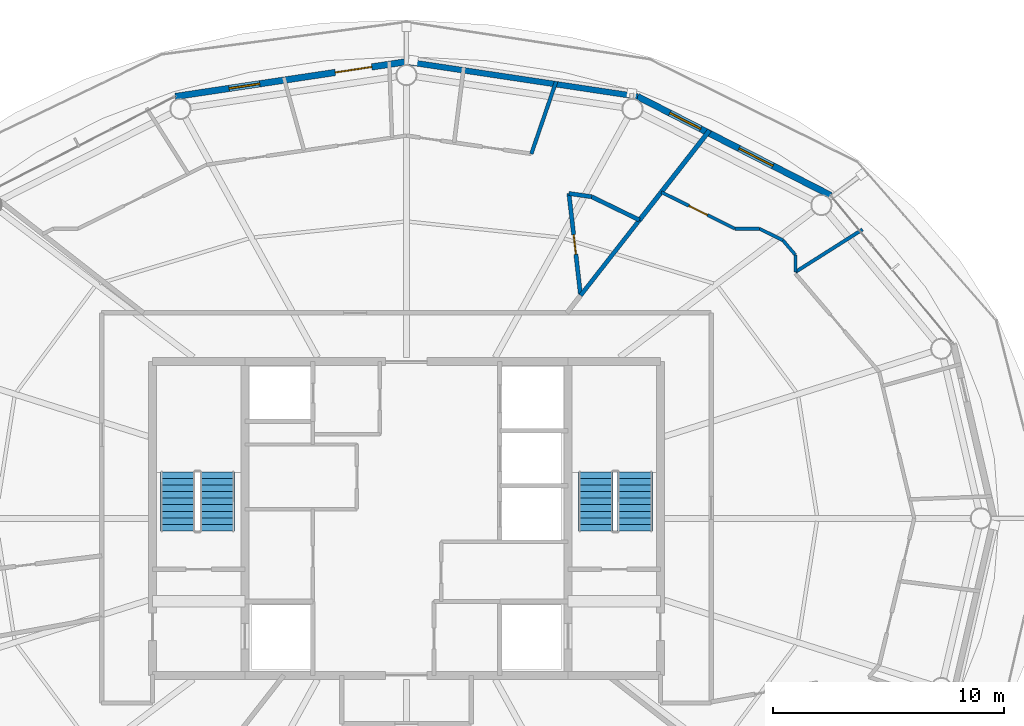
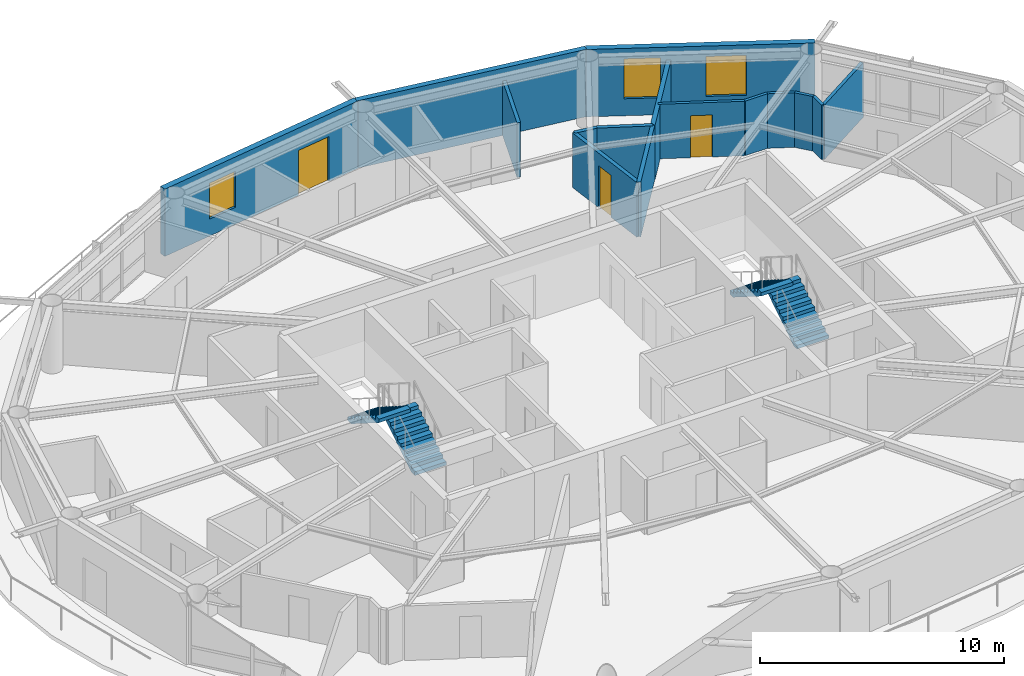
# One storey, part 19 of 22: 15 walls, 4 stair flights, 3 doors, 3 windows, 6 openings, 2 elements without a shape of their own.
"""IFC4 building model written with IfcOpenShell, lengths in metres."""

from ifc_helpers import new_model, si_unit, direction, frame, frame_2d, origin, place, context, subcontext, project, spatial, polyline, rectangle, outline, extrude, material, layer, layer_set, type_object, element, fill, aggregate, save


model = new_model("IFC4")

# Units and contexts
model_context = context("Model", 3, precision=1e-05, world=origin(), true_north=direction((0.0, 1.0)))
body_context = subcontext(model_context, "Body", "Model", "MODEL_VIEW")
ifc_project = project(units=[si_unit("LENGTHUNIT", "METRE"), si_unit("AREAUNIT", "SQUARE_METRE"), si_unit("VOLUMEUNIT", "CUBIC_METRE"), si_unit("PLANEANGLEUNIT", "RADIAN"), si_unit("MASSUNIT", "GRAM", prefix="KILO")], contexts=[model_context])

# Site, building, storey
site_placement = place(None, origin())
site = spatial("IfcSite", under=ifc_project, at=site_placement, CompositionType="ELEMENT")
building_placement = place(site_placement, origin())
building = spatial("IfcBuilding", under=site, at=building_placement, Name="Sarneth Arch Tower", CompositionType="ELEMENT")
storey_placement = place(building_placement, frame((0.0, 0.0, 305.39990234375)))
storey = spatial("IfcBuildingStorey", under=building, at=storey_placement, Name="L79", CompositionType="ELEMENT", Elevation=305.39990234375)

# Wall
ifc_material_1 = material(Name="Extruded terracotta rainscreen on Concrete C40/50 backing", Category="masonry")
ifc_layer_1 = layer(ifc_material_1, 0.25)
ifc_layer_set_1 = layer_set([ifc_layer_1], Name="Extruded terracotta rainscreen on Concrete C40/50 backing")
wall_type_1 = type_object("IfcWallType", Name="WALL-EXT-SPAND-250", PredefinedType="SOLIDWALL", material=ifc_layer_set_1)
wall_1_placement = place(storey_placement, frame((58.0126953125, 60.2744140625, 0.0), z_axis=(0.0, 0.0, 1.0), x_axis=(-0.988882522213, 0.148698881169, 0.0)))
element("IfcWall", 1, at=wall_1_placement, inside=storey, type_object=wall_type_1, Name="L79 Terracotta perimeter wall 04", PredefinedType="SOLIDWALL", context=body_context, shape_type="SweptSolid", body=[
    extrude(rectangle(XDim=10.125244140625, YDim=0.25, at=frame_2d((5.0625, 0.0))), origin(), (0.0, 0.0, 1.0), 3.3701171875),
])

# Wall, openings, windows
ifc_material_2 = material(Name="Extruded terracotta rainscreen on Concrete C40/50 backing", Category="masonry")
ifc_layer_2 = layer(ifc_material_2, 0.280029296875)
ifc_layer_set_2 = layer_set([ifc_layer_2], Name="Extruded terracotta rainscreen on Concrete C40/50 backing")
wall_type_2 = type_object("IfcWallType", Name="WALL-EXT-TERRA-280", PredefinedType="SOLIDWALL", material=ifc_layer_set_2)
wall_2_placement = place(storey_placement, frame((66.382568359375, 55.986572265625, 0.0), z_axis=(0.0, 0.0, 1.0), x_axis=(-0.890007394051, 0.455946091699, 0.0)))
wall_2 = element("IfcWall", 2, at=wall_2_placement, inside=storey, type_object=wall_type_2, Name="L79 Terracotta perimeter wall 03", PredefinedType="SOLIDWALL", context=body_context, shape_type="SweptSolid", body=[
    extrude(rectangle(XDim=9.404296875, YDim=0.280029296875, at=frame_2d((4.7021484375, 0.0))), origin(), (0.0, 0.0, 1.0), 3.3701171875),
])
opening_1_placement = place(wall_2_placement, frame((2.8173828125, 0.0, 0.85009765625)))
opening_1 = element("IfcOpeningElement", 3, at=opening_1_placement, cuts=wall_2, Name="Opening W-05", PredefinedType="OPENING", context=body_context, shape_type="SweptSolid", body=[
    extrude(rectangle(XDim=1.64990234375, YDim=2.0, at=frame_2d((0.824951171875, 1.0))), frame((0.0, 0.14990234375, 0.0), z_axis=(0.0, -1.0, 0.0), x_axis=(1.0, 0.0, 0.0)), (0.0, 0.0, 1.0), 0.300048828125),
])
opening_2_placement = place(wall_2_placement, frame((6.333251953125, 0.0, 0.85009765625)))
opening_2 = element("IfcOpeningElement", 4, at=opening_2_placement, cuts=wall_2, Name="Opening W-06", PredefinedType="OPENING", context=body_context, shape_type="SweptSolid", body=[
    extrude(rectangle(XDim=1.5, YDim=2.0, at=frame_2d((0.75, 1.0))), frame((0.0, 0.14990234375, 0.0), z_axis=(0.0, -1.0, 0.0), x_axis=(1.0, 0.0, 0.0)), (0.0, 0.0, 1.0), 0.300048828125),
])
ifc_material_3 = material(Name="Thermally broken Aluminium 6063-T6 and low-e laminated IGU", Category="aluminium")
window_type_1 = type_object("IfcWindowType", Name="WIN-TWR-1500x2000", PartitioningType="SINGLE_PANEL", PredefinedType="WINDOW", material=ifc_material_3)
window_1_placement = place(opening_2_placement, origin())
window_1 = element("IfcWindow", 5, at=window_1_placement, inside=storey, type_object=window_type_1, Name="L79 Exterior window 03B", OverallHeight=2.0, OverallWidth=1.5, PartitioningType="SINGLE_PANEL", PredefinedType="WINDOW", context=body_context, shape_type="SweptSolid", body=[
    extrude(rectangle(XDim=1.5, YDim=2.0, at=frame_2d((0.75, 1.0))), frame((0.0, 0.030029296875, 0.0), z_axis=(0.0, -1.0, 0.0), x_axis=(1.0, 0.0, 0.0)), (0.0, 0.0, 1.0), 0.06005859375),
])
fill(opening_2, window_1)
ifc_material_4 = material(Name="Thermally broken Aluminium 6063-T6 and low-e laminated IGU", Category="aluminium")
window_type_2 = type_object("IfcWindowType", Name="WIN-TWR-1650x2000", PartitioningType="DOUBLE_PANEL_VERTICAL", PredefinedType="WINDOW", material=ifc_material_4)
window_2_placement = place(opening_1_placement, origin())
window_2 = element("IfcWindow", 6, at=window_2_placement, inside=storey, type_object=window_type_2, Name="L79 Exterior window 03A", OverallHeight=2.0, OverallWidth=1.64990234375, PartitioningType="SINGLE_PANEL", PredefinedType="WINDOW", context=body_context, shape_type="SweptSolid", body=[
    extrude(rectangle(XDim=1.64990234375, YDim=2.0, at=frame_2d((0.824951171875, 1.0))), frame((0.0, 0.030029296875, 0.0), z_axis=(0.0, -1.0, 0.0), x_axis=(1.0, 0.0, 0.0)), (0.0, 0.0, 1.0), 0.06005859375),
])
fill(opening_1, window_2)

# Wall, openings, door, window
wall_3_placement = place(storey_placement, frame((48.0, 61.780029296875, 0.0), z_axis=(0.0, 0.0, 1.0), x_axis=(-0.988882522213, -0.148698881169, 0.0)))
wall_3 = element("IfcWall", 7, at=wall_3_placement, inside=storey, type_object=wall_type_2, Name="L79 Terracotta perimeter wall 05", PredefinedType="SOLIDWALL", context=body_context, shape_type="SweptSolid", body=[
    extrude(rectangle(XDim=10.125244140625, YDim=0.280029296875, at=frame_2d((5.0625, 0.0))), origin(), (0.0, 0.0, 1.0), 3.3701171875),
])
opening_3_placement = place(wall_3_placement, frame((1.51611328125, 0.0, 0.0)))
opening_3 = element("IfcOpeningElement", 8, at=opening_3_placement, cuts=wall_3, Name="Opening BD-1", PredefinedType="OPENING", context=body_context, shape_type="SweptSolid", body=[
    extrude(rectangle(XDim=1.60009765625, YDim=2.25, at=frame_2d((0.800048828125, 1.125))), frame((0.0, 0.14990234375, 0.0), z_axis=(0.0, -1.0, 0.0), x_axis=(1.0, 0.0, 0.0)), (0.0, 0.0, 1.0), 0.300048828125),
])
opening_4_placement = place(wall_3_placement, frame((6.42041015625, 0.0, 0.85009765625)))
opening_4 = element("IfcOpeningElement", 9, at=opening_4_placement, cuts=wall_3, Name="Opening W-08", PredefinedType="OPENING", context=body_context, shape_type="SweptSolid", body=[
    extrude(rectangle(XDim=1.35009765625, YDim=1.800048828125, at=frame_2d((0.675048828125, 0.89990234375))), frame((0.0, 0.14990234375, 0.0), z_axis=(0.0, -1.0, 0.0), x_axis=(1.0, 0.0, 0.0)), (0.0, 0.0, 1.0), 0.300048828125),
])
ifc_material_5 = material(Name="Thermally broken Aluminium 6063-T6 and laminated safety glass", Category="aluminium")
door_type_1 = type_object("IfcDoorType", Name="DR-BALC-GLZ-1600", OperationType="DOUBLE_DOOR_SINGLE_SWING", PredefinedType="DOOR", material=ifc_material_5)
door_1_placement = place(opening_3_placement, origin())
door_1 = element("IfcDoor", 10, at=door_1_placement, inside=storey, type_object=door_type_1, Name="L79 Balcony glazed door 05", OperationType="DOUBLE_DOOR_SINGLE_SWING", OverallHeight=2.25, OverallWidth=1.60009765625, PredefinedType="DOOR", context=body_context, shape_type="SweptSolid", body=[
    extrude(rectangle(XDim=1.60009765625, YDim=2.25, at=frame_2d((0.800048828125, 1.125))), frame((0.0, 0.02490234375, 0.0), z_axis=(0.0, -1.0, 0.0), x_axis=(1.0, 0.0, 0.0)), (0.0, 0.0, 1.0), 0.050048828125),
])
fill(opening_3, door_1)
ifc_material_6 = material(Name="Thermally broken Aluminium 6063-T6 and low-e laminated IGU", Category="aluminium")
window_type_3 = type_object("IfcWindowType", Name="WIN-TWR-1350x1800", PartitioningType="SINGLE_PANEL", PredefinedType="WINDOW", material=ifc_material_6)
window_3_placement = place(opening_4_placement, origin())
window_3 = element("IfcWindow", 11, at=window_3_placement, inside=storey, type_object=window_type_3, Name="L79 Exterior window 05A", OverallHeight=1.800048828125, OverallWidth=1.35009765625, PartitioningType="SINGLE_PANEL", PredefinedType="WINDOW", context=body_context, shape_type="SweptSolid", body=[
    extrude(rectangle(XDim=1.35009765625, YDim=1.800048828125, at=frame_2d((0.675048828125, 0.89990234375))), frame((0.0, 0.030029296875, 0.0), z_axis=(0.0, -1.0, 0.0), x_axis=(1.0, 0.0, 0.0)), (0.0, 0.0, 1.0), 0.06005859375),
])
fill(opening_4, window_3)

# Wall, opening, door
ifc_material_7 = material(Name="Apartment internal stud partition", Category="gypsum")
ifc_layer_3 = layer(ifc_material_7, 0.139892578125)
ifc_layer_set_3 = layer_set([ifc_layer_3], Name="Apartment internal stud partition")
wall_type_3 = type_object("IfcWallType", Name="WALL-PART-140", PredefinedType="PARTITIONING", material=ifc_layer_set_3)
wall_4_placement = place(storey_placement, frame((62.226806640625, 54.550048828125, 0.0), z_axis=(0.0, 0.0, 1.0), x_axis=(-0.895591084679, 0.444878195739, 0.0)))
wall_4 = element("IfcWall", 12, at=wall_4_placement, inside=storey, type_object=wall_type_3, Name="L79 Interior partition W-L79-TP-077", PredefinedType="PARTITIONING", context=body_context, shape_type="SweptSolid", body=[
    extrude(rectangle(XDim=3.556640625, YDim=0.139892578125, at=frame_2d((1.7783203125, 0.0))), origin(), (0.0, 0.0, 1.0), 2.72998046875),
])
opening_5_placement = place(wall_4_placement, frame((1.328369140625, 0.0, 0.0)))
opening_5 = element("IfcOpeningElement", 13, at=opening_5_placement, cuts=wall_4, Name="Opening ID-01", PredefinedType="OPENING", context=body_context, shape_type="SweptSolid", body=[
    extrude(rectangle(XDim=0.89990234375, YDim=2.10009765625, at=frame_2d((0.449951171875, 1.050048828125))), frame((0.0, 0.079833984375, 0.0), z_axis=(0.0, -1.0, 0.0), x_axis=(1.0, 0.0, 0.0)), (0.0, 0.0, 1.0), 0.159912109375),
])
ifc_material_8 = material(Name="Engineered hardwood flush door", Category="wood")
door_type_2 = type_object("IfcDoorType", Name="DR-INT-900", OperationType="SINGLE_SWING_LEFT", PredefinedType="DOOR", material=ifc_material_8)
door_2_placement = place(opening_5_placement, origin())
door_2 = element("IfcDoor", 14, at=door_2_placement, inside=storey, type_object=door_type_2, Name="L79 Interior door DR-L79-U4-BED3", OperationType="SINGLE_SWING_LEFT", OverallHeight=2.10009765625, OverallWidth=0.89990234375, PredefinedType="DOOR", context=body_context, shape_type="SweptSolid", body=[
    extrude(rectangle(XDim=0.89990234375, YDim=2.10009765625, at=frame_2d((0.449951171875, 1.050048828125))), frame((0.0, 0.02490234375, 0.0), z_axis=(0.0, -1.0, 0.0), x_axis=(1.0, 0.0, 0.0)), (0.0, 0.0, 1.0), 0.050048828125),
])
fill(opening_5, door_2)

# Walls
wall_5_placement = place(storey_placement, frame((64.31103515625, 54.0419921875, 0.0), z_axis=(0.0, 0.0, 1.0), x_axis=(-0.895409226325, 0.445244109912, 0.0)))
element("IfcWall", 15, at=wall_5_placement, inside=storey, type_object=wall_type_3, Name="L79 Interior partition W-L79-TP-075", PredefinedType="PARTITIONING", context=body_context, shape_type="SweptSolid", body=[
    extrude(rectangle(XDim=1.14111328125, YDim=0.139892578125, at=frame_2d((0.570556640625, 0.0))), origin(), (0.0, 0.0, 1.0), 2.72998046875),
])
wall_6_placement = place(storey_placement, frame((63.289306640625, 54.550048828125, 0.0), z_axis=(0.0, 0.0, 1.0), x_axis=(-1.0, 0.0, 0.0)))
element("IfcWall", 16, at=wall_6_placement, inside=storey, type_object=wall_type_3, Name="L79 Interior partition W-L79-TP-076", PredefinedType="PARTITIONING", context=body_context, shape_type="SweptSolid", body=[
    extrude(rectangle(XDim=1.0625, YDim=0.139892578125, at=frame_2d((0.53125, 0.0))), origin(), (0.0, 0.0, 1.0), 2.72998046875),
])
wall_7_placement = place(storey_placement, frame((64.85009765625, 53.410400390625, 0.0), z_axis=(0.0, 0.0, 1.0), x_axis=(-0.649191857323, 0.760624698774, 0.0)))
element("IfcWall", 17, at=wall_7_placement, inside=storey, type_object=wall_type_3, Name="L79 Interior partition W-L79-TP-074", PredefinedType="PARTITIONING", context=body_context, shape_type="SweptSolid", body=[
    extrude(rectangle(XDim=0.830322265625, YDim=0.139892578125, at=frame_2d((0.4150390625, 0.0))), origin(), (0.0, 0.0, 1.0), 2.72998046875),
])
wall_8_placement = place(storey_placement, frame((64.85009765625, 52.671875, 0.0), z_axis=(0.0, 0.0, 1.0), x_axis=(0.0, 1.0, 0.0)))
element("IfcWall", 18, at=wall_8_placement, inside=storey, type_object=wall_type_3, Name="L79 Interior partition W-L79-TP-073", PredefinedType="PARTITIONING", context=body_context, shape_type="SweptSolid", body=[
    extrude(rectangle(XDim=0.738525390625, YDim=0.139892578125, at=frame_2d((0.369140625, 0.0))), origin(), (0.0, 0.0, 1.0), 2.72998046875),
])
ifc_material_9 = material(Name="Acoustic gypsum stud partition", Category="gypsum")
ifc_layer_4 = layer(ifc_material_9, 0.14990234375)
ifc_layer_set_4 = layer_set([ifc_layer_4], Name="Acoustic gypsum stud partition")
wall_type_4 = type_object("IfcWallType", Name="WALL-PART-150", PredefinedType="PARTITIONING", material=ifc_layer_set_4)
wall_9_placement = place(storey_placement, frame((64.85009765625, 52.671875, 0.0), z_axis=(0.0, 0.0, 1.0), x_axis=(0.84478165195, 0.535111166515, 0.0)))
element("IfcWall", 19, at=wall_9_placement, inside=storey, type_object=wall_type_4, Name="L79 Interior partition W-L79-TP-081", PredefinedType="PARTITIONING", context=body_context, shape_type="SweptSolid", body=[
    extrude(rectangle(XDim=3.4404296875, YDim=0.14990234375, at=frame_2d((1.72021484375, 0.0))), origin(), (0.0, 0.0, 1.0), 2.72998046875),
])
ifc_material_10 = material(Name="Kitchen wet service chase wall", Category="gypsum")
ifc_layer_5 = layer(ifc_material_10, 0.159912109375)
ifc_layer_set_5 = layer_set([ifc_layer_5], Name="Kitchen wet service chase wall")
wall_type_5 = type_object("IfcWallType", Name="WALL-PLUMB-160", PredefinedType="PLUMBINGWALL", material=ifc_layer_set_5)
wall_10_placement = place(storey_placement, frame((54.485595703125, 60.924072265625, 0.0), z_axis=(0.0, 0.0, 1.0), x_axis=(-0.324177330806, -0.945996330961, 0.0)))
element("IfcWall", 20, at=wall_10_placement, inside=storey, type_object=wall_type_5, Name="L79 Interior partition W-L79-TP-017", PredefinedType="PLUMBINGWALL", context=body_context, shape_type="SweptSolid", body=[
    extrude(rectangle(XDim=3.312255859375, YDim=0.159912109375, at=frame_2d((1.65625, 0.0))), origin(), (0.0, 0.0, 1.0), 2.72998046875),
])

# Wall, opening, door
ifc_material_11 = material(Name="Moisture-resistant plumbing chase wall", Category="gypsum")
ifc_layer_6 = layer(ifc_material_11, 0.179931640625)
ifc_layer_set_6 = layer_set([ifc_layer_6], Name="Moisture-resistant plumbing chase wall")
wall_type_6 = type_object("IfcWallType", Name="WALL-PLUMB-180", PredefinedType="PLUMBINGWALL", material=ifc_layer_set_6)
wall_11_placement = place(storey_placement, frame((55.54443359375, 51.65625, 0.0), z_axis=(0.0, 0.0, 1.0), x_axis=(-0.113517162422, 0.993536035499, 0.0)))
wall_11 = element("IfcWall", 21, at=wall_11_placement, inside=storey, type_object=wall_type_6, Name="L79 Interior partition W-L79-TP-019", PredefinedType="PLUMBINGWALL", context=body_context, shape_type="SweptSolid", body=[
    extrude(rectangle(XDim=4.445556640625, YDim=0.179931640625, at=frame_2d((2.22265625, 0.0))), origin(), (0.0, 0.0, 1.0), 2.72998046875),
])
opening_6_placement = place(wall_11_placement, frame((1.797607421875, 0.0, 0.0)))
opening_6 = element("IfcOpeningElement", 22, at=opening_6_placement, cuts=wall_11, Name="Opening ID-02", PredefinedType="OPENING", context=body_context, shape_type="SweptSolid", body=[
    extrude(rectangle(XDim=0.85009765625, YDim=2.10009765625, at=frame_2d((0.425048828125, 1.050048828125))), frame((0.0, 0.099853515625, 0.0), z_axis=(0.0, -1.0, 0.0), x_axis=(1.0, 0.0, 0.0)), (0.0, 0.0, 1.0), 0.199951171875),
])
ifc_material_12 = material(Name="Moisture-resistant bathroom timber door", Category="wood")
door_type_3 = type_object("IfcDoorType", Name="DR-INT-850", OperationType="SINGLE_SWING_RIGHT", PredefinedType="DOOR", material=ifc_material_12)
door_3_placement = place(opening_6_placement, origin())
door_3 = element("IfcDoor", 23, at=door_3_placement, inside=storey, type_object=door_type_3, Name="L79 Interior door DR-L79-U1-BATH", OperationType="SINGLE_SWING_LEFT", OverallHeight=2.10009765625, OverallWidth=0.85009765625, PredefinedType="DOOR", context=body_context, shape_type="SweptSolid", body=[
    extrude(rectangle(XDim=0.85009765625, YDim=2.10009765625, at=frame_2d((0.425048828125, 1.050048828125))), frame((0.0, 0.02490234375, 0.0), z_axis=(0.0, -1.0, 0.0), x_axis=(1.0, 0.0, 0.0)), (0.0, 0.0, 1.0), 0.050048828125),
])
fill(opening_6, door_3)

# Walls
wall_12_placement = place(storey_placement, frame((58.095947265625, 54.922119140625, 0.0), z_axis=(0.0, 0.0, 1.0), x_axis=(-0.615652044057, -0.788018122031, 0.0)))
element("IfcWall", 24, at=wall_12_placement, inside=storey, type_object=wall_type_6, Name="L79 Interior partition W-L79-TP-034", PredefinedType="PLUMBINGWALL", context=body_context, shape_type="SweptSolid", body=[
    extrude(rectangle(XDim=4.144287109375, YDim=0.179931640625, at=frame_2d((2.072265625, 0.0))), origin(), (0.0, 0.0, 1.0), 2.72998046875),
])
wall_13_placement = place(storey_placement, frame((56.02392578125, 55.93212890625, 0.0), z_axis=(0.0, 0.0, 1.0), x_axis=(0.898893612682, -0.438166946585, 0.0)))
element("IfcWall", 25, at=wall_13_placement, inside=storey, type_object=wall_type_6, Name="L79 Interior partition W-L79-TP-021", PredefinedType="PLUMBINGWALL", context=body_context, shape_type="SweptSolid", body=[
    extrude(rectangle(XDim=2.30517578125, YDim=0.179931640625, at=frame_2d((1.152587890625, 0.0))), origin(), (0.0, 0.0, 1.0), 2.72998046875),
])
wall_14_placement = place(storey_placement, frame((55.039794921875, 56.072998046875, 0.0), z_axis=(0.0, 0.0, 1.0), x_axis=(0.989910163558, -0.141696394039, 0.0)))
element("IfcWall", 26, at=wall_14_placement, inside=storey, type_object=wall_type_6, Name="L79 Interior partition W-L79-TP-020", PredefinedType="PLUMBINGWALL", context=body_context, shape_type="SweptSolid", body=[
    extrude(rectangle(XDim=0.994140625, YDim=0.179931640625, at=frame_2d((0.4970703125, 0.0))), origin(), (0.0, 0.0, 1.0), 2.72998046875),
])
ifc_material_13 = material(Name="Double steel-stud acoustic drywall", Category="steel")
ifc_layer_7 = layer(ifc_material_13, 0.199951171875)
ifc_layer_set_7 = layer_set([ifc_layer_7], Name="Double steel-stud acoustic drywall")
wall_type_7 = type_object("IfcWallType", Name="WALL-UNIT-200", PredefinedType="PARTITIONING", material=ifc_layer_set_7)
wall_15_placement = place(storey_placement, frame((58.095947265625, 54.92236328125, 0.0), z_axis=(0.0, 0.0, 1.0), x_axis=(0.615676703635, 0.78799885571, 0.0)))
element("IfcWall", 27, at=wall_15_placement, inside=storey, type_object=wall_type_7, Name="L79 Interior partition W-L79-TP-031", PredefinedType="PARTITIONING", context=body_context, shape_type="SweptSolid", body=[
    extrude(rectangle(XDim=4.931884765625, YDim=0.199951171875, at=frame_2d((2.4658203125, 0.0))), origin(), (0.0, 0.0, 1.0), 2.72998046875),
])

# Stair, stair flights
ifc_material_14 = material(Name="Concrete C50/60", Category="concrete")
stair_type = type_object("IfcStairType", Name="STAIR-CORE-RC", PredefinedType="HALF_TURN_STAIR", material=ifc_material_14)
stair_1_placement = place(storey_placement, origin())
stair_1 = element("IfcStair", 28, at=stair_1_placement, inside=storey, type_object=stair_type, Name="L79 Core Exit Stair 1", PredefinedType="HALF_TURN_STAIR")
ifc_material_15 = material(Name="Concrete C50/60", Category="concrete")
stair_flight_type = type_object("IfcStairFlightType", Name="FLIGHT-RC-1500", PredefinedType="STRAIGHT", material=ifc_material_15)
stair_flight_1_placement = place(storey_placement, frame((39.800048828125, 41.449951171875, 0.0), z_axis=(0.0, 0.0, 1.0), x_axis=(0.0, 1.0, 0.0)))
stair_flight_1 = element("IfcStairFlight", 29, at=stair_flight_1_placement, type_object=stair_flight_type, Name="ST-1 flight 1", NumberOfRisers=10, NumberOfTreads=9, PredefinedType="STRAIGHT", RiserHeight=0.18, TreadLength=0.285, context=body_context, shape_type="SweptSolid", body=[
    extrude(outline(polyline([(0.0, 0.0), (0.0, 0.179931640625), (0.284912109375, 0.179931640625), (0.284912109375, 0.360107421875), (0.570068359375, 0.360107421875), (0.570068359375, 0.5400390625), (0.85498046875, 0.5400390625), (0.85498046875, 0.719970703125), (1.139892578125, 0.719970703125), (1.139892578125, 0.89990234375), (1.425048828125, 0.89990234375), (1.425048828125, 1.080078125), (1.7099609375, 1.080078125), (1.7099609375, 1.260009765625), (1.9951171875, 1.260009765625), (1.9951171875, 1.43994140625), (2.280029296875, 1.43994140625), (2.280029296875, 1.6201171875), (2.56494140625, 1.6201171875), (2.56494140625, 1.800048828125), (2.56494140625, 1.442626953125), (0.28076171875, 0.0), (0.0, 0.0)])), frame((0.0, 0.75, 0.0), z_axis=(0.0, -1.0, 0.0), x_axis=(1.0, 0.0, 0.0)), (0.0, 0.0, 1.0), 1.5),
])
stair_flight_2_placement = place(storey_placement, frame((38.10009765625, 44.014892578125, 1.800048828125), z_axis=(0.0, 0.0, 1.0), x_axis=(0.0, -1.0, 0.0)))
stair_flight_2 = element("IfcStairFlight", 30, at=stair_flight_2_placement, type_object=stair_flight_type, Name="ST-1 flight 2", NumberOfRisers=10, NumberOfTreads=9, PredefinedType="STRAIGHT", RiserHeight=0.18, TreadLength=0.285, context=body_context, shape_type="SweptSolid", body=[
    extrude(outline(polyline([(0.0, 0.0), (0.0, 0.179931640625), (0.284912109375, 0.179931640625), (0.284912109375, 0.360107421875), (0.570068359375, 0.360107421875), (0.570068359375, 0.5400390625), (0.85498046875, 0.5400390625), (0.85498046875, 0.719970703125), (1.139892578125, 0.719970703125), (1.139892578125, 0.89990234375), (1.425048828125, 0.89990234375), (1.425048828125, 1.080078125), (1.7099609375, 1.080078125), (1.7099609375, 1.260009765625), (1.9951171875, 1.260009765625), (1.9951171875, 1.43994140625), (2.280029296875, 1.43994140625), (2.280029296875, 1.6201171875), (2.56494140625, 1.6201171875), (2.56494140625, 1.800048828125), (2.56494140625, 1.442626953125), (0.28076171875, 0.0), (0.0, 0.0)])), frame((0.0, 0.75, 0.0), z_axis=(0.0, -1.0, 0.0), x_axis=(1.0, 0.0, 0.0)), (0.0, 0.0, 1.0), 1.5),
])
aggregate(stair_1, [stair_flight_1, stair_flight_2])

stair_2_placement = place(storey_placement, origin())
stair_2 = element("IfcStair", 31, at=stair_2_placement, inside=storey, type_object=stair_type, Name="L79 Core Exit Stair 2", PredefinedType="HALF_TURN_STAIR")
stair_flight_3_placement = place(storey_placement, frame((57.89990234375, 41.449951171875, 0.0), z_axis=(0.0, 0.0, 1.0), x_axis=(0.0, 1.0, 0.0)))
stair_flight_3 = element("IfcStairFlight", 32, at=stair_flight_3_placement, type_object=stair_flight_type, Name="ST-2 flight 1", NumberOfRisers=10, NumberOfTreads=9, PredefinedType="STRAIGHT", RiserHeight=0.18, TreadLength=0.285, context=body_context, shape_type="SweptSolid", body=[
    extrude(outline(polyline([(0.0, 0.0), (0.0, 0.179931640625), (0.284912109375, 0.179931640625), (0.284912109375, 0.360107421875), (0.570068359375, 0.360107421875), (0.570068359375, 0.5400390625), (0.85498046875, 0.5400390625), (0.85498046875, 0.719970703125), (1.139892578125, 0.719970703125), (1.139892578125, 0.89990234375), (1.425048828125, 0.89990234375), (1.425048828125, 1.080078125), (1.7099609375, 1.080078125), (1.7099609375, 1.260009765625), (1.9951171875, 1.260009765625), (1.9951171875, 1.43994140625), (2.280029296875, 1.43994140625), (2.280029296875, 1.6201171875), (2.56494140625, 1.6201171875), (2.56494140625, 1.800048828125), (2.56494140625, 1.442626953125), (0.28076171875, 0.0), (0.0, 0.0)])), frame((0.0, 0.75, 0.0), z_axis=(0.0, -1.0, 0.0), x_axis=(1.0, 0.0, 0.0)), (0.0, 0.0, 1.0), 1.5),
])
stair_flight_4_placement = place(storey_placement, frame((56.199951171875, 44.014892578125, 1.800048828125), z_axis=(0.0, 0.0, 1.0), x_axis=(0.0, -1.0, 0.0)))
stair_flight_4 = element("IfcStairFlight", 33, at=stair_flight_4_placement, type_object=stair_flight_type, Name="ST-2 flight 2", NumberOfRisers=10, NumberOfTreads=9, PredefinedType="STRAIGHT", RiserHeight=0.18, TreadLength=0.285, context=body_context, shape_type="SweptSolid", body=[
    extrude(outline(polyline([(0.0, 0.0), (0.0, 0.179931640625), (0.284912109375, 0.179931640625), (0.284912109375, 0.360107421875), (0.570068359375, 0.360107421875), (0.570068359375, 0.5400390625), (0.85498046875, 0.5400390625), (0.85498046875, 0.719970703125), (1.139892578125, 0.719970703125), (1.139892578125, 0.89990234375), (1.425048828125, 0.89990234375), (1.425048828125, 1.080078125), (1.7099609375, 1.080078125), (1.7099609375, 1.260009765625), (1.9951171875, 1.260009765625), (1.9951171875, 1.43994140625), (2.280029296875, 1.43994140625), (2.280029296875, 1.6201171875), (2.56494140625, 1.6201171875), (2.56494140625, 1.800048828125), (2.56494140625, 1.442626953125), (0.28076171875, 0.0), (0.0, 0.0)])), frame((0.0, 0.75, 0.0), z_axis=(0.0, -1.0, 0.0), x_axis=(1.0, 0.0, 0.0)), (0.0, 0.0, 1.0), 1.5),
])
aggregate(stair_2, [stair_flight_3, stair_flight_4])

save(model, "model.ifc")
